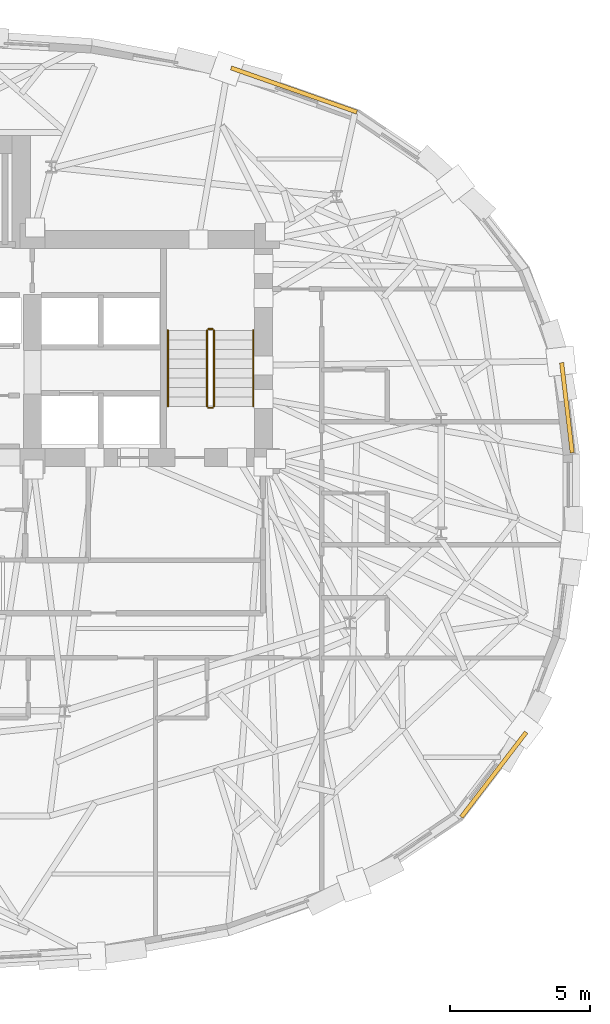
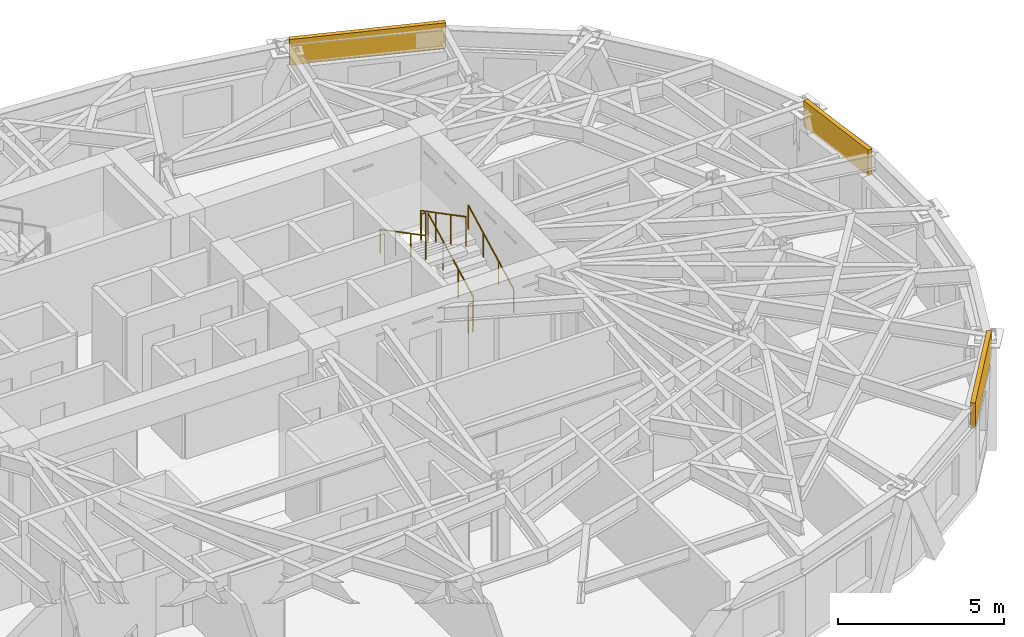
# One storey, part 14 of 15: 6 railings, 3 coverings.
"""IFC4 building model written with IfcOpenShell, lengths in metres."""

import ifcopenshell
import ifcopenshell.guid

model = None  # the IFC model being written
_history = None  # IfcOwnerHistory: only IFC2X3 demands one
_inside = {}  # id of a spatial element -> (the spatial element, [elements in it])
_under = {}  # id of a project, library or spatial element -> (it, [spatial elements below it])
_declared = {}  # id of a project -> (the project, [libraries it declares])
_typed = {}  # id of a type object -> (the type object, [elements of that type])
_made_of = {}  # id of a material, layer set ... -> (it, [elements and type objects made of it])


def new_model(schema):
    """Start an empty IFC model of exactly this schema.

    Asked for "IFC4X3", IfcOpenShell would pick the latest addendum, in which some entities
    have other attributes; the version numbers below select the first issue.
    IFC2X3 requires an IfcOwnerHistory on every rooted entity: one is made here for all.
    """
    global model, _history
    if schema == "IFC4X3":
        model = ifcopenshell.file(schema_version=(4, 3, 0, 0))
    else:
        model = ifcopenshell.file(schema=schema)
    _inside.clear()
    _under.clear()
    _declared.clear()
    _typed.clear()
    _made_of.clear()
    _history = None
    if model.schema == "IFC2X3":
        org = make("IfcOrganization", Name="unknown")
        user = make(
            "IfcPersonAndOrganization",
            ThePerson=make("IfcPerson", FamilyName="unknown"),
            TheOrganization=org,
        )
        app = make(
            "IfcApplication",
            ApplicationDeveloper=org,
            Version="unknown",
            ApplicationFullName="unknown",
            ApplicationIdentifier="unknown",
        )
        _history = make(
            "IfcOwnerHistory",
            OwningUser=user,
            OwningApplication=app,
            ChangeAction="ADDED",
            CreationDate=0,
        )
    return model


def make(cls, **values):
    """One entity of the class cls with the attributes given. An attribute that is None is left unset."""
    return model.create_entity(
        cls, **{name: value for name, value in values.items() if value is not None}
    )


def rooted(cls, **values):
    """An entity with a GlobalId (a new one), such as an element, a storey or a relation."""
    return make(cls, GlobalId=ifcopenshell.guid.new(), OwnerHistory=_history, **values)


def si_unit(unit_type, name, prefix=None):
    """IfcSIUnit, for example si_unit("LENGTHUNIT", "METRE", prefix="MILLI")."""
    return make("IfcSIUnit", UnitType=unit_type, Prefix=prefix, Name=name)


def assignment(units):
    """IfcUnitAssignment: the units of a project."""
    return None if units is None else make("IfcUnitAssignment", Units=units)


def point(xyz):
    """IfcCartesianPoint."""
    return None if xyz is None else make("IfcCartesianPoint", Coordinates=xyz)


def direction(xyz):
    """IfcDirection."""
    return None if xyz is None else make("IfcDirection", DirectionRatios=xyz)


def frame(location, z_axis=None, x_axis=None):
    """IfcAxis2Placement3D, a coordinate frame: its origin and axes. An axis left out is left unset."""
    return make(
        "IfcAxis2Placement3D",
        Location=point(location),
        Axis=direction(z_axis),
        RefDirection=direction(x_axis),
    )


def frame_2d(location, x_axis=None):
    """IfcAxis2Placement2D, a coordinate frame in the plane: its origin and x axis."""
    return make(
        "IfcAxis2Placement2D", Location=point(location), RefDirection=direction(x_axis)
    )


def origin():
    """The frame at (0, 0, 0) with its axes left unset."""
    return frame((0.0, 0.0, 0.0))


def origin_2d():
    """The frame at (0, 0) in the plane with its x axis left unset."""
    return frame_2d((0.0, 0.0))


def place(relative_to, where):
    """IfcLocalPlacement: puts the frame where relative to a parent placement (None: the world)."""
    return make(
        "IfcLocalPlacement", PlacementRelTo=relative_to, RelativePlacement=where
    )


def context(
    kind, dimensions, precision=None, world=None, true_north=None, identifier=None
):
    """IfcGeometricRepresentationContext, for example the 3D "Model" context."""
    return make(
        "IfcGeometricRepresentationContext",
        ContextIdentifier=identifier,
        ContextType=kind,
        CoordinateSpaceDimension=dimensions,
        Precision=precision,
        WorldCoordinateSystem=world,
        TrueNorth=true_north,
    )


def subcontext(parent, identifier, kind, view, scale=None):
    """IfcGeometricRepresentationSubContext, for example "Body" below "Model"."""
    return make(
        "IfcGeometricRepresentationSubContext",
        ContextIdentifier=identifier,
        ContextType=kind,
        ParentContext=parent,
        TargetScale=scale,
        TargetView=view,
    )


def project(units=None, contexts=None):
    """IfcProject with its units and contexts."""
    return rooted(
        "IfcProject",
        Name="project",
        RepresentationContexts=contexts,
        UnitsInContext=assignment(units),
    )


def spatial(cls, under=None, at=None, **own):
    """A site, building, storey or space (cls), placed at a placement, below another one or the project."""
    s = rooted(cls, ObjectPlacement=at, **own)
    if under is not None:
        _under.setdefault(under.id(), (under, []))[1].append(s)
    return s


def profile(cls, at=None, kind="AREA", **sizes):
    """A parametric profile (cls). Its sizes go by their IFC names, for example OverallWidth=200.0."""
    return make(cls, ProfileType=kind, Position=at, **sizes)


def rectangle(**sizes):
    """IfcRectangleProfileDef."""
    return profile("IfcRectangleProfileDef", **sizes)


def circle(**sizes):
    """IfcCircleProfileDef."""
    return profile("IfcCircleProfileDef", **sizes)


def extrude(swept, where, along, depth):
    """IfcExtrudedAreaSolid: the profile swept, set in the frame where, extruded along a direction by depth."""
    return make(
        "IfcExtrudedAreaSolid",
        SweptArea=swept,
        Position=where,
        ExtrudedDirection=direction(along),
        Depth=depth,
    )


def shape(context_of_items, identifier, shape_type, items):
    """IfcShapeRepresentation: the items that make up one representation, for example the "Body"."""
    return make(
        "IfcShapeRepresentation",
        ContextOfItems=context_of_items,
        RepresentationIdentifier=identifier,
        RepresentationType=shape_type,
        Items=items,
    )


def material(Name=None, Category=None):
    """IfcMaterial."""
    return make("IfcMaterial", Name=Name, Category=Category)


def layer(
    of_material, thickness, ventilated=None, Name=None, Category=None, Priority=None
):
    """IfcMaterialLayer: one layer of a wall or slab, of a material (None: an air gap)."""
    return make(
        "IfcMaterialLayer",
        Material=of_material,
        LayerThickness=thickness,
        IsVentilated=ventilated,
        Name=Name,
        Category=Category,
        Priority=Priority,
    )


def layer_set(layers, Name=None):
    """IfcMaterialLayerSet."""
    return make("IfcMaterialLayerSet", MaterialLayers=layers, LayerSetName=Name)


def made_of(thing, what):
    """Note that an element or type object is made of a material, layer set ...; save() writes the relation."""
    if what is not None:
        _made_of.setdefault(what.id(), (what, []))[1].append(thing)
    return thing


def type_object(cls, material=None, **own):
    """A type object (cls), such as IfcWallType, which elements share."""
    return made_of(rooted(cls, **own), material)


def element(
    cls,
    number,
    at=None,
    inside=None,
    cuts=None,
    type_object=None,
    material=None,
    context=None,
    identifier="Body",
    shape_type=None,
    held_by="IfcProductDefinitionShape",
    body=None,
    shapes=None,
    **own,
):
    """One element of the class cls, such as IfcWall. Its Tag is "e" and its number.

    at: its placement. inside: the storey or other place that contains it. cuts: it is an
    opening in that element (IfcRelVoidsElement). A single representation is given by context,
    identifier, shape_type and body (its items); several are given by shapes. held_by: the class
    of the entity that holds the representations. save() writes the other relations.
    """
    e = rooted(cls, Tag="e%d" % number, ObjectPlacement=at, **own)
    if body is not None:
        shapes = [shape(context, identifier, shape_type, body)]
    if shapes is not None:
        e.Representation = make(held_by, Representations=shapes)
    if inside is not None:
        _inside.setdefault(inside.id(), (inside, []))[1].append(e)
    if cuts is not None:
        rooted(
            "IfcRelVoidsElement", RelatingBuildingElement=cuts, RelatedOpeningElement=e
        )
    if type_object is not None:
        _typed.setdefault(type_object.id(), (type_object, []))[1].append(e)
    return made_of(e, material)


def aggregate(whole, parts):
    """IfcRelAggregates: a whole, such as a stair, and the parts it consists of."""
    return rooted("IfcRelAggregates", RelatingObject=whole, RelatedObjects=parts)


def save(model, path):
    """Write the relations noted so far, then the file.

    IfcRelAggregates (storeys below a building ...), IfcRelContainedInSpatialStructure (elements
    in a storey), IfcRelDefinesByType, IfcRelAssociatesMaterial and IfcRelDeclares: one each for
    every whole, place, type object, material and project.
    """
    for whole, parts in _under.values():
        aggregate(whole, parts)
    for where, things in _inside.values():
        rooted(
            "IfcRelContainedInSpatialStructure",
            RelatedElements=things,
            RelatingStructure=where,
        )
    for kind, things in _typed.values():
        rooted("IfcRelDefinesByType", RelatedObjects=things, RelatingType=kind)
    for what, things in _made_of.values():
        rooted("IfcRelAssociatesMaterial", RelatedObjects=things, RelatingMaterial=what)
    for by, libraries in _declared.values():
        rooted("IfcRelDeclares", RelatingContext=by, RelatedDefinitions=libraries)
    model.write(path)


model = new_model("IFC4")

# Units and contexts
model_context = context("Model", 3, precision=1e-05, world=origin(), true_north=direction((0.0, 1.0)))
body_context = subcontext(model_context, "Body", "Model", "MODEL_VIEW")
ifc_project = project(units=[si_unit("LENGTHUNIT", "METRE"), si_unit("AREAUNIT", "SQUARE_METRE"), si_unit("VOLUMEUNIT", "CUBIC_METRE"), si_unit("PLANEANGLEUNIT", "RADIAN"), si_unit("MASSUNIT", "GRAM", prefix="KILO")], contexts=[model_context])

# Site, building, storey
site_placement = place(None, origin())
site = spatial("IfcSite", under=ifc_project, at=site_placement, CompositionType="ELEMENT")
building_placement = place(site_placement, origin())
building = spatial("IfcBuilding", under=site, at=building_placement, Name="Keldmark Tower", CompositionType="ELEMENT")
storey_placement = place(building_placement, frame((0.0, 0.0, 143.800048828125)))
storey = spatial("IfcBuildingStorey", under=building, at=storey_placement, Name="L38", CompositionType="ELEMENT", Elevation=143.800048828125)

# Coverings
ifc_material_1 = material(Name="Honed Kasota Buff Dolomitic Limestone", Category="masonry")
ifc_layer = layer(ifc_material_1, 0.074951171875)
ifc_layer_set = layer_set([ifc_layer], Name="Honed Kasota Buff Dolomitic Limestone")
covering_type = type_object("IfcCoveringType", Name="Kasota Buff Limestone Spandrel Cladding Band", PredefinedType="CLADDING", material=ifc_layer_set)
covering_1_placement = place(storey_placement, frame((24.326171875, 3.30126953125, 2.239013671875), z_axis=(0.0, 0.0, 1.0), x_axis=(-0.116601400424, 0.993178792272, 0.0)))
element("IfcCovering", 1, at=covering_1_placement, inside=storey, type_object=covering_type, Name="L38 Kasota Limestone Spandrel Band 01", PredefinedType="CLADDING", context=body_context, shape_type="SweptSolid", body=[
    extrude(rectangle(XDim=3.242431640625, YDim=0.14990234375, at=origin_2d()), origin(), (0.0, 0.0, 1.0), 0.94091796875),
])
covering_2_placement = place(storey_placement, frame((14.561279296875, 14.669921875, 2.239013671875), z_axis=(0.0, 0.0, 1.0), x_axis=(-0.943541075121, 0.331255550232, 0.0)))
element("IfcCovering", 2, at=covering_2_placement, inside=storey, type_object=covering_type, Name="L38 Kasota Limestone Spandrel Band 05", PredefinedType="CLADDING", context=body_context, shape_type="SweptSolid", body=[
    extrude(rectangle(XDim=4.773193359375, YDim=0.14990234375, at=origin_2d()), origin(), (0.0, 0.0, 1.0), 0.94091796875),
])
covering_3_placement = place(storey_placement, frame((21.70849609375, -9.827880859375, 2.239013671875), z_axis=(0.0, 0.0, 1.0), x_axis=(0.607181709483, 0.794563006733, 0.0)))
element("IfcCovering", 3, at=covering_3_placement, inside=storey, type_object=covering_type, Name="L38 Kasota Limestone Spandrel Band 29", PredefinedType="CLADDING", context=body_context, shape_type="SweptSolid", body=[
    extrude(rectangle(XDim=3.818603515625, YDim=0.14990234375, at=origin_2d()), origin(), (0.0, 0.0, 1.0), 0.94091796875),
])

# Railings
ifc_material_2 = material(Name="Painted Steel ASTM A500 Grade B", Category="steel")
railing_type_1 = type_object("IfcRailingType", Name="Painted Steel Stair Well Guard 1100 mm", PredefinedType="GUARDRAIL", material=ifc_material_2)
railing_1_placement = place(storey_placement, frame((11.699951171875, 3.35009765625, 0.177734375)))
element("IfcRailing", 4, at=railing_1_placement, inside=storey, type_object=railing_type_1, Name="L38 ST2 stair guard 1", PredefinedType="GUARDRAIL", context=body_context, shape_type="SweptSolid", body=[
    extrude(circle(Radius=0.02392578125, at=origin_2d()), frame((0.0, 0.0, 1.076171875), z_axis=(0.0, 0.886183135912, 0.463335137482), x_axis=(-1.0, 0.0, 0.0)), (0.0, 0.0, 1.0), 3.0693359375),
    extrude(circle(Radius=0.02099609375, at=origin_2d()), origin(), (0.0, 0.0, 1.0), 1.052001953125),
    extrude(circle(Radius=0.02099609375, at=origin_2d()), frame((0.0, 0.90673828125, 0.47412109375)), (0.0, 0.0, 1.0), 1.052001953125),
    extrude(circle(Radius=0.02099609375, at=origin_2d()), frame((0.0, 1.813232421875, 0.947998046875)), (0.0, 0.0, 1.0), 1.052001953125),
    extrude(circle(Radius=0.02099609375, at=origin_2d()), frame((0.0, 2.719970703125, 1.422119140625)), (0.0, 0.0, 1.0), 1.052001953125),
])
railing_2_placement = place(storey_placement, frame((11.64990234375, 6.1201171875, 1.599853515625)))
element("IfcRailing", 5, at=railing_2_placement, inside=storey, type_object=railing_type_1, Name="L38 ST2 stair guard 2", PredefinedType="GUARDRAIL", context=body_context, shape_type="SweptSolid", body=[
    extrude(circle(Radius=0.02392578125, at=origin_2d()), frame((0.0, 0.0, 1.076171875), z_axis=(-1.0, 0.0, 0.0), x_axis=(0.0, -1.0, 0.0)), (0.0, 0.0, 1.0), 0.14990234375),
    extrude(circle(Radius=0.02099609375, at=origin_2d()), origin(), (0.0, 0.0, 1.0), 1.052001953125),
    extrude(circle(Radius=0.02099609375, at=origin_2d()), frame((-0.14990234375, 0.0, 0.0)), (0.0, 0.0, 1.0), 1.052001953125),
])
railing_3_placement = place(storey_placement, frame((11.449951171875, 6.070068359375, 1.77783203125)))
element("IfcRailing", 6, at=railing_3_placement, inside=storey, type_object=railing_type_1, Name="L38 ST2 stair guard 3", PredefinedType="GUARDRAIL", context=body_context, shape_type="SweptSolid", body=[
    extrude(circle(Radius=0.02392578125, at=origin_2d()), frame((0.0, 0.0, 1.076171875), z_axis=(0.0, -0.886183135912, 0.463335137482), x_axis=(1.0, 0.0, 0.0)), (0.0, 0.0, 1.0), 3.0693359375),
    extrude(circle(Radius=0.02099609375, at=origin_2d()), origin(), (0.0, 0.0, 1.0), 1.052001953125),
    extrude(circle(Radius=0.02099609375, at=origin_2d()), frame((0.0, -0.90673828125, 0.47412109375)), (0.0, 0.0, 1.0), 1.052001953125),
    extrude(circle(Radius=0.02099609375, at=origin_2d()), frame((0.0, -1.813232421875, 0.947998046875)), (0.0, 0.0, 1.0), 1.052001953125),
    extrude(circle(Radius=0.02099609375, at=origin_2d()), frame((0.0, -2.719970703125, 1.422119140625)), (0.0, 0.0, 1.0), 1.052001953125),
])
railing_4_placement = place(storey_placement, frame((11.64990234375, 3.300048828125, 0.0)))
element("IfcRailing", 7, at=railing_4_placement, inside=storey, type_object=railing_type_1, Name="L38 ST2 stair guard 4", PredefinedType="GUARDRAIL", context=body_context, shape_type="SweptSolid", body=[
    extrude(circle(Radius=0.02392578125, at=origin_2d()), frame((0.0, 0.0, 1.076171875), z_axis=(-1.0, 0.0, 0.0), x_axis=(0.0, -1.0, 0.0)), (0.0, 0.0, 1.0), 0.14990234375),
    extrude(circle(Radius=0.02099609375, at=origin_2d()), origin(), (0.0, 0.0, 1.0), 1.052001953125),
    extrude(circle(Radius=0.02099609375, at=origin_2d()), frame((-0.14990234375, 0.0, 0.0)), (0.0, 0.0, 1.0), 1.052001953125),
])
ifc_material_3 = material(Name="Stainless Steel AISI 316L", Category="steel")
railing_type_2 = type_object("IfcRailingType", Name="Stainless Steel Stair Handrail 900 mm", PredefinedType="HANDRAIL", material=ifc_material_3)
railing_5_placement = place(storey_placement, frame((13.10009765625, 3.35009765625, 0.177734375)))
element("IfcRailing", 8, at=railing_5_placement, inside=storey, type_object=railing_type_2, Name="L38 ST2 stair handrail 1", PredefinedType="HANDRAIL", context=body_context, shape_type="SweptSolid", body=[
    extrude(circle(Radius=0.02392578125, at=origin_2d()), frame((0.0, 0.0, 0.8759765625), z_axis=(0.0, 0.886183135912, 0.463335137482), x_axis=(-1.0, 0.0, 0.0)), (0.0, 0.0, 1.0), 3.0693359375),
    extrude(circle(Radius=0.02099609375, at=origin_2d()), origin(), (0.0, 0.0, 1.0), 0.851806640625),
    extrude(circle(Radius=0.02099609375, at=origin_2d()), frame((0.0, 0.90673828125, 0.47412109375)), (0.0, 0.0, 1.0), 0.851806640625),
    extrude(circle(Radius=0.02099609375, at=origin_2d()), frame((0.0, 1.813232421875, 0.947998046875)), (0.0, 0.0, 1.0), 0.851806640625),
    extrude(circle(Radius=0.02099609375, at=origin_2d()), frame((0.0, 2.719970703125, 1.422119140625)), (0.0, 0.0, 1.0), 0.851806640625),
])
railing_6_placement = place(storey_placement, frame((10.050048828125, 6.070068359375, 1.77783203125)))
element("IfcRailing", 9, at=railing_6_placement, inside=storey, type_object=railing_type_2, Name="L38 ST2 stair handrail 2", PredefinedType="HANDRAIL", context=body_context, shape_type="SweptSolid", body=[
    extrude(circle(Radius=0.02392578125, at=origin_2d()), frame((0.0, 0.0, 0.8759765625), z_axis=(0.0, -0.886183135912, 0.463335137482), x_axis=(1.0, 0.0, 0.0)), (0.0, 0.0, 1.0), 3.0693359375),
    extrude(circle(Radius=0.02099609375, at=origin_2d()), origin(), (0.0, 0.0, 1.0), 0.851806640625),
    extrude(circle(Radius=0.02099609375, at=origin_2d()), frame((0.0, -0.90673828125, 0.47412109375)), (0.0, 0.0, 1.0), 0.851806640625),
    extrude(circle(Radius=0.02099609375, at=origin_2d()), frame((0.0, -1.813232421875, 0.947998046875)), (0.0, 0.0, 1.0), 0.851806640625),
    extrude(circle(Radius=0.02099609375, at=origin_2d()), frame((0.0, -2.719970703125, 1.422119140625)), (0.0, 0.0, 1.0), 0.851806640625),
])

save(model, "model.ifc")
